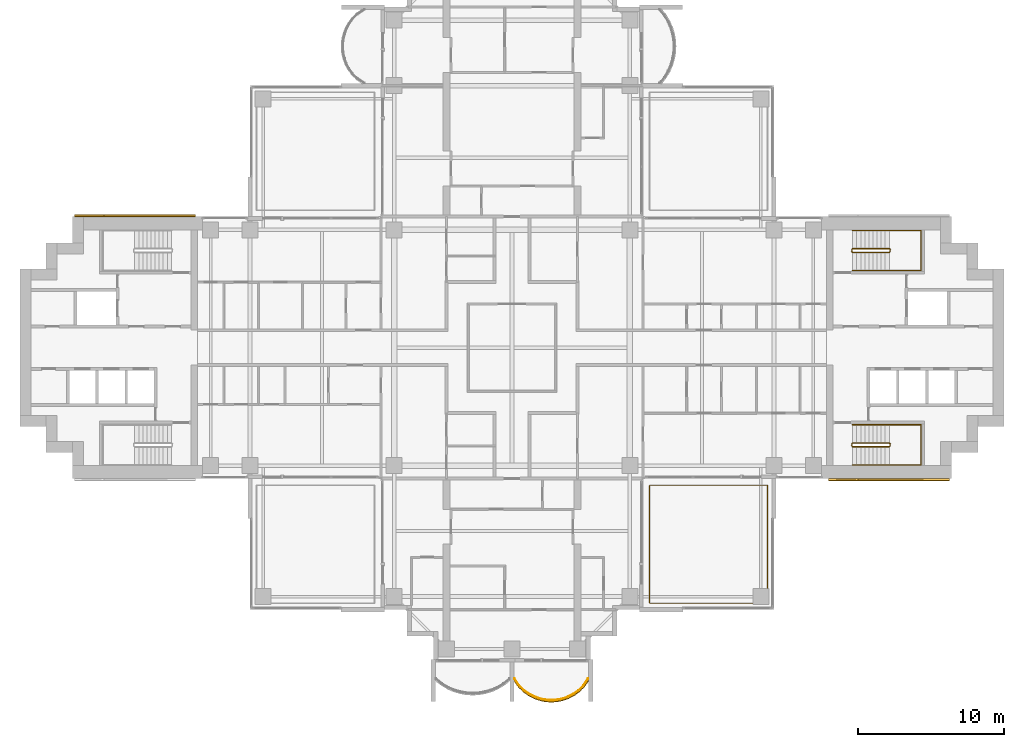
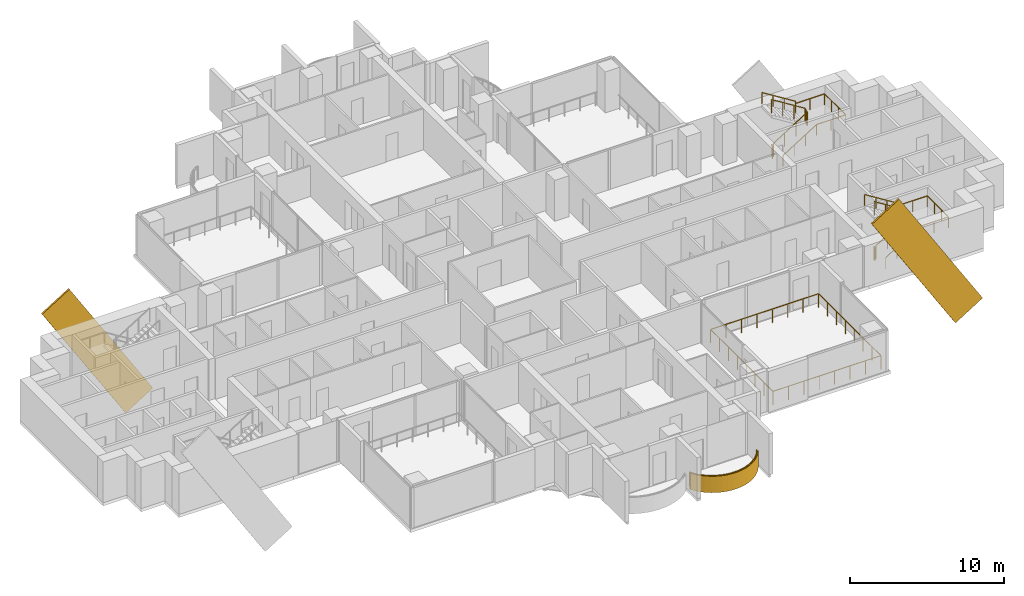
# One storey, part 17 of 19: 6 railings, 3 coverings.
"""IFC4 building model written with IfcOpenShell, lengths in metres."""

from ifc_helpers import new_model, si_unit, direction, frame, origin, origin_2d, place, context, subcontext, project, spatial, polyline, rectangle, outline, extrude, material, layer, layer_set, material_profile, profile_set, type_object, element, save


model = new_model("IFC4")

# Units and contexts
model_context = context("Model", 3, precision=1e-05, world=origin(), true_north=direction((0.0, 1.0)))
body_context = subcontext(model_context, "Body", "Model", "MODEL_VIEW")
ifc_project = project(units=[si_unit("LENGTHUNIT", "METRE"), si_unit("AREAUNIT", "SQUARE_METRE"), si_unit("VOLUMEUNIT", "CUBIC_METRE"), si_unit("PLANEANGLEUNIT", "RADIAN"), si_unit("MASSUNIT", "GRAM", prefix="KILO")], contexts=[model_context])

# Site, building, storey
site_placement = place(None, origin())
site = spatial("IfcSite", under=ifc_project, at=site_placement, CompositionType="ELEMENT")
building_placement = place(site_placement, origin())
building = spatial("IfcBuilding", under=site, at=building_placement, Name="Perihelion Cross Residences", CompositionType="ELEMENT")
storey_placement = place(building_placement, frame((0.0, 0.0, 137.39990234375)))
storey = spatial("IfcBuildingStorey", under=building, at=storey_placement, Name="L33", CompositionType="ELEMENT", Elevation=137.39990234375)

# Covering
ifc_material_1 = material(Name="Bronze anodised aluminium", Category="aluminium")
ifc_layer = layer(ifc_material_1, 0.070068359375)
ifc_layer_set = layer_set([ifc_layer], Name="Balcony fascia 1300")
covering_type_1 = type_object("IfcCoveringType", Name="Balcony fascia 1300", PredefinedType="CLADDING", material=ifc_layer_set)
covering_placement = place(storey_placement, frame((0.0, 0.0, -0.199951171875)))
element("IfcCovering", 1, at=covering_placement, inside=storey, type_object=covering_type_1, Name="Fascia BF1 L33 south tip south bay 2", PredefinedType="CLADDING", context=body_context, shape_type="SweptSolid", body=[
    extrude(outline(polyline([(0.43701171875, -23.322509765625), (0.78515625, -23.66064453125), (1.13330078125, -23.90869140625), (1.4814453125, -24.091064453125), (1.82958984375, -24.22021484375), (2.177734375, -24.30322265625), (2.52587890625, -24.343994140625), (2.8740234375, -24.343994140625), (3.22216796875, -24.30322265625), (3.5703125, -24.22021484375), (3.91845703125, -24.091064453125), (4.2666015625, -23.90869140625), (4.61474609375, -23.66064453125), (4.963134765625, -23.322509765625), (5.25, -22.92041015625), (5.25, -22.800048828125), (4.909912109375, -23.27685546875), (4.570068359375, -23.60693359375), (4.22998046875, -23.84912109375), (3.889892578125, -24.027099609375), (3.550048828125, -24.1533203125), (3.2099609375, -24.234375), (2.8701171875, -24.274169921875), (2.530029296875, -24.274169921875), (2.18994140625, -24.234375), (1.85009765625, -24.1533203125), (1.510009765625, -24.027099609375), (1.169921875, -23.84912109375), (0.830078125, -23.60693359375), (0.489990234375, -23.27685546875), (0.14990234375, -22.800048828125), (0.14990234375, -22.92041015625), (0.43701171875, -23.322509765625)])), origin(), (0.0, 0.0, 1.0), 1.300048828125),
])

# Railings
ifc_material_2 = material(Name="Bronze anodised aluminium", Category="aluminium")
railing_type_1 = type_object("IfcRailingType", Name="Balcony guard 1100", PredefinedType="GUARDRAIL", material=ifc_material_2)
railing_1_placement = place(storey_placement, frame((0.175048828125, -22.739990234375, 0.0)))
element("IfcRailing", 2, at=railing_1_placement, inside=storey, type_object=railing_type_1, Name="Guard GU1 L33 south tip south bay 2 balcony", PredefinedType="GUARDRAIL", context=body_context, shape_type="SweptSolid", body=[
    extrude(rectangle(XDim=0.048095703125, YDim=0.048095703125, at=origin_2d()), frame((0.0, 0.0, 1.076171875), z_axis=(0.551145731138, -0.834409002258, 0.0), x_axis=(0.834409002258, 0.551145731138, 0.0)), (0.0, 0.0, 1.0), 0.571533203125),
    extrude(rectangle(XDim=0.048095703125, YDim=0.048095703125, at=origin_2d()), frame((0.31494140625, -0.476806640625, 1.076171875), z_axis=(0.717588263781, -0.696467575472, 0.0), x_axis=(0.696467575472, 0.717588263781, 0.0)), (0.0, 0.0, 1.0), 0.473876953125),
    extrude(rectangle(XDim=0.048095703125, YDim=0.048095703125, at=origin_2d()), frame((0.655029296875, -0.806884765625, 1.076171875), z_axis=(0.814365457194, -0.580352394782, 0.0), x_axis=(0.580352394782, 0.814365457194, 0.0)), (0.0, 0.0, 1.0), 0.417236328125),
    extrude(rectangle(XDim=0.048095703125, YDim=0.048095703125, at=origin_2d()), frame((0.994873046875, -1.049072265625, 1.076171875), z_axis=(0.885744400902, -0.464173304134, 0.0), x_axis=(0.464173304134, 0.885744400902, 0.0)), (0.0, 0.0, 1.0), 0.384033203125),
    extrude(rectangle(XDim=0.048095703125, YDim=0.048095703125, at=origin_2d()), frame((1.3349609375, -1.227294921875, 1.076171875), z_axis=(0.937732519052, -0.347358205191, 0.0), x_axis=(0.347358205191, 0.937732519052, 0.0)), (0.0, 0.0, 1.0), 0.362548828125),
    extrude(rectangle(XDim=0.048095703125, YDim=0.048095703125, at=origin_2d()), frame((1.675048828125, -1.353271484375, 1.076171875), z_axis=(0.972716168284, -0.231998396458, 0.0), x_axis=(0.231998396458, 0.972716168284, 0.0)), (0.0, 0.0, 1.0), 0.349365234375),
    extrude(rectangle(XDim=0.048095703125, YDim=0.048095703125, at=origin_2d()), frame((2.014892578125, -1.434326171875, 1.076171875), z_axis=(0.993223414934, -0.116220686744, 0.0), x_axis=(0.116220686744, 0.993223414934, 0.0)), (0.0, 0.0, 1.0), 0.342529296875),
    extrude(rectangle(XDim=0.048095703125, YDim=0.048095703125, at=origin_2d()), frame((2.35498046875, -1.47412109375, 1.076171875), z_axis=(1.0, 0.0, 0.0), x_axis=(0.0, 1.0, 0.0)), (0.0, 0.0, 1.0), 0.340087890625),
    extrude(rectangle(XDim=0.048095703125, YDim=0.048095703125, at=origin_2d()), frame((2.695068359375, -1.47412109375, 1.076171875), z_axis=(0.993213773886, 0.116303049672, 0.0), x_axis=(-0.116303049672, 0.993213773886, 0.0)), (0.0, 0.0, 1.0), 0.34228515625),
    extrude(rectangle(XDim=0.048095703125, YDim=0.048095703125, at=origin_2d()), frame((3.034912109375, -1.434326171875, 1.076171875), z_axis=(0.972753741142, 0.231840805498, 0.0), x_axis=(-0.231840805498, 0.972753741142, 0.0)), (0.0, 0.0, 1.0), 0.349609375),
    extrude(rectangle(XDim=0.048095703125, YDim=0.048095703125, at=origin_2d()), frame((3.375, -1.353271484375, 1.076171875), z_axis=(0.937651218339, 0.347577606798, 0.0), x_axis=(-0.347577606798, 0.937651218339, 0.0)), (0.0, 0.0, 1.0), 0.362548828125),
    extrude(rectangle(XDim=0.048095703125, YDim=0.048095703125, at=origin_2d()), frame((3.71484375, -1.227294921875, 1.076171875), z_axis=(0.885744400902, 0.464173304134, 0.0), x_axis=(-0.464173304134, 0.885744400902, 0.0)), (0.0, 0.0, 1.0), 0.384033203125),
    extrude(rectangle(XDim=0.048095703125, YDim=0.048095703125, at=origin_2d()), frame((4.054931640625, -1.049072265625, 1.076171875), z_axis=(0.814562360662, 0.580075995532, 0.0), x_axis=(-0.580075995532, 0.814562360662, 0.0)), (0.0, 0.0, 1.0), 0.41748046875),
    extrude(rectangle(XDim=0.048095703125, YDim=0.048095703125, at=origin_2d()), frame((4.39501953125, -0.806884765625, 1.076171875), z_axis=(0.71733824833, 0.696725080274, 0.0), x_axis=(-0.696725080274, 0.71733824833, 0.0)), (0.0, 0.0, 1.0), 0.473876953125),
    extrude(rectangle(XDim=0.048095703125, YDim=0.048095703125, at=origin_2d()), frame((4.73486328125, -0.476806640625, 1.076171875), z_axis=(0.55144309028, 0.834212513801, 0.0), x_axis=(-0.834212513801, 0.55144309028, 0.0)), (0.0, 0.0, 1.0), 0.571533203125),
    extrude(rectangle(XDim=0.0419921875, YDim=0.0419921875, at=origin_2d()), origin(), (0.0, 0.0, 1.0), 1.052001953125),
    extrude(rectangle(XDim=0.0419921875, YDim=0.0419921875, at=origin_2d()), frame((0.31494140625, -0.476806640625, 0.0)), (0.0, 0.0, 1.0), 1.052001953125),
    extrude(rectangle(XDim=0.0419921875, YDim=0.0419921875, at=origin_2d()), frame((0.655029296875, -0.806884765625, 0.0)), (0.0, 0.0, 1.0), 1.052001953125),
    extrude(rectangle(XDim=0.0419921875, YDim=0.0419921875, at=origin_2d()), frame((0.994873046875, -1.049072265625, 0.0)), (0.0, 0.0, 1.0), 1.052001953125),
    extrude(rectangle(XDim=0.0419921875, YDim=0.0419921875, at=origin_2d()), frame((1.3349609375, -1.227294921875, 0.0)), (0.0, 0.0, 1.0), 1.052001953125),
    extrude(rectangle(XDim=0.0419921875, YDim=0.0419921875, at=origin_2d()), frame((1.675048828125, -1.353271484375, 0.0)), (0.0, 0.0, 1.0), 1.052001953125),
    extrude(rectangle(XDim=0.0419921875, YDim=0.0419921875, at=origin_2d()), frame((2.014892578125, -1.434326171875, 0.0)), (0.0, 0.0, 1.0), 1.052001953125),
    extrude(rectangle(XDim=0.0419921875, YDim=0.0419921875, at=origin_2d()), frame((2.35498046875, -1.47412109375, 0.0)), (0.0, 0.0, 1.0), 1.052001953125),
    extrude(rectangle(XDim=0.0419921875, YDim=0.0419921875, at=origin_2d()), frame((2.695068359375, -1.47412109375, 0.0)), (0.0, 0.0, 1.0), 1.052001953125),
    extrude(rectangle(XDim=0.0419921875, YDim=0.0419921875, at=origin_2d()), frame((3.034912109375, -1.434326171875, 0.0)), (0.0, 0.0, 1.0), 1.052001953125),
    extrude(rectangle(XDim=0.0419921875, YDim=0.0419921875, at=origin_2d()), frame((3.375, -1.353271484375, 0.0)), (0.0, 0.0, 1.0), 1.052001953125),
    extrude(rectangle(XDim=0.0419921875, YDim=0.0419921875, at=origin_2d()), frame((3.71484375, -1.227294921875, 0.0)), (0.0, 0.0, 1.0), 1.052001953125),
    extrude(rectangle(XDim=0.0419921875, YDim=0.0419921875, at=origin_2d()), frame((4.054931640625, -1.049072265625, 0.0)), (0.0, 0.0, 1.0), 1.052001953125),
    extrude(rectangle(XDim=0.0419921875, YDim=0.0419921875, at=origin_2d()), frame((4.39501953125, -0.806884765625, 0.0)), (0.0, 0.0, 1.0), 1.052001953125),
    extrude(rectangle(XDim=0.0419921875, YDim=0.0419921875, at=origin_2d()), frame((4.73486328125, -0.476806640625, 0.0)), (0.0, 0.0, 1.0), 1.052001953125),
    extrude(rectangle(XDim=0.0419921875, YDim=0.0419921875, at=origin_2d()), frame((5.050048828125, 0.0, 0.0)), (0.0, 0.0, 1.0), 1.052001953125),
])
railing_2_placement = place(storey_placement, frame((17.550048828125, -17.550048828125, 0.0)))
element("IfcRailing", 3, at=railing_2_placement, inside=storey, type_object=railing_type_1, Name="Guard GU1 L33 pocket south-east 1", PredefinedType="GUARDRAIL", context=body_context, shape_type="SweptSolid", body=[
    extrude(rectangle(XDim=0.048095703125, YDim=0.048095703125, at=origin_2d()), frame((0.0, 0.0, 1.076171875), z_axis=(-1.0, 0.0, 0.0), x_axis=(0.0, -1.0, 0.0)), (0.0, 0.0, 1.0), 8.10009765625),
    extrude(rectangle(XDim=0.048095703125, YDim=0.048095703125, at=origin_2d()), frame((-8.10009765625, 0.0, 1.076171875), z_axis=(0.0, 1.0, 0.0), x_axis=(-1.0, 0.0, 0.0)), (0.0, 0.0, 1.0), 8.10009765625),
    extrude(rectangle(XDim=0.048095703125, YDim=0.048095703125, at=origin_2d()), frame((-8.10009765625, 8.10009765625, 1.076171875), z_axis=(1.0, 0.0, 0.0), x_axis=(0.0, 1.0, 0.0)), (0.0, 0.0, 1.0), 8.10009765625),
    extrude(rectangle(XDim=0.048095703125, YDim=0.048095703125, at=origin_2d()), frame((0.0, 8.10009765625, 1.076171875), z_axis=(0.0, -1.0, 0.0), x_axis=(1.0, 0.0, 0.0)), (0.0, 0.0, 1.0), 8.10009765625),
    extrude(rectangle(XDim=0.0419921875, YDim=0.0419921875, at=origin_2d()), origin(), (0.0, 0.0, 1.0), 1.052001953125),
    extrude(rectangle(XDim=0.0419921875, YDim=0.0419921875, at=origin_2d()), frame((-1.1572265625, 0.0, 0.0)), (0.0, 0.0, 1.0), 1.052001953125),
    extrude(rectangle(XDim=0.0419921875, YDim=0.0419921875, at=origin_2d()), frame((-2.314208984375, 0.0, 0.0)), (0.0, 0.0, 1.0), 1.052001953125),
    extrude(rectangle(XDim=0.0419921875, YDim=0.0419921875, at=origin_2d()), frame((-3.471435546875, 0.0, 0.0)), (0.0, 0.0, 1.0), 1.052001953125),
    extrude(rectangle(XDim=0.0419921875, YDim=0.0419921875, at=origin_2d()), frame((-4.628662109375, 0.0, 0.0)), (0.0, 0.0, 1.0), 1.052001953125),
    extrude(rectangle(XDim=0.0419921875, YDim=0.0419921875, at=origin_2d()), frame((-5.785888671875, 0.0, 0.0)), (0.0, 0.0, 1.0), 1.052001953125),
    extrude(rectangle(XDim=0.0419921875, YDim=0.0419921875, at=origin_2d()), frame((-6.94287109375, 0.0, 0.0)), (0.0, 0.0, 1.0), 1.052001953125),
    extrude(rectangle(XDim=0.0419921875, YDim=0.0419921875, at=origin_2d()), frame((-8.10009765625, 0.0, 0.0)), (0.0, 0.0, 1.0), 1.052001953125),
    extrude(rectangle(XDim=0.0419921875, YDim=0.0419921875, at=origin_2d()), frame((-8.10009765625, 1.1572265625, 0.0)), (0.0, 0.0, 1.0), 1.052001953125),
    extrude(rectangle(XDim=0.0419921875, YDim=0.0419921875, at=origin_2d()), frame((-8.10009765625, 2.314208984375, 0.0)), (0.0, 0.0, 1.0), 1.052001953125),
    extrude(rectangle(XDim=0.0419921875, YDim=0.0419921875, at=origin_2d()), frame((-8.10009765625, 3.471435546875, 0.0)), (0.0, 0.0, 1.0), 1.052001953125),
    extrude(rectangle(XDim=0.0419921875, YDim=0.0419921875, at=origin_2d()), frame((-8.10009765625, 4.628662109375, 0.0)), (0.0, 0.0, 1.0), 1.052001953125),
    extrude(rectangle(XDim=0.0419921875, YDim=0.0419921875, at=origin_2d()), frame((-8.10009765625, 5.785888671875, 0.0)), (0.0, 0.0, 1.0), 1.052001953125),
    extrude(rectangle(XDim=0.0419921875, YDim=0.0419921875, at=origin_2d()), frame((-8.10009765625, 6.94287109375, 0.0)), (0.0, 0.0, 1.0), 1.052001953125),
    extrude(rectangle(XDim=0.0419921875, YDim=0.0419921875, at=origin_2d()), frame((-8.10009765625, 8.10009765625, 0.0)), (0.0, 0.0, 1.0), 1.052001953125),
    extrude(rectangle(XDim=0.0419921875, YDim=0.0419921875, at=origin_2d()), frame((-6.94287109375, 8.10009765625, 0.0)), (0.0, 0.0, 1.0), 1.052001953125),
    extrude(rectangle(XDim=0.0419921875, YDim=0.0419921875, at=origin_2d()), frame((-5.785888671875, 8.10009765625, 0.0)), (0.0, 0.0, 1.0), 1.052001953125),
    extrude(rectangle(XDim=0.0419921875, YDim=0.0419921875, at=origin_2d()), frame((-4.628662109375, 8.10009765625, 0.0)), (0.0, 0.0, 1.0), 1.052001953125),
    extrude(rectangle(XDim=0.0419921875, YDim=0.0419921875, at=origin_2d()), frame((-3.471435546875, 8.10009765625, 0.0)), (0.0, 0.0, 1.0), 1.052001953125),
    extrude(rectangle(XDim=0.0419921875, YDim=0.0419921875, at=origin_2d()), frame((-2.314208984375, 8.10009765625, 0.0)), (0.0, 0.0, 1.0), 1.052001953125),
    extrude(rectangle(XDim=0.0419921875, YDim=0.0419921875, at=origin_2d()), frame((-1.1572265625, 8.10009765625, 0.0)), (0.0, 0.0, 1.0), 1.052001953125),
    extrude(rectangle(XDim=0.0419921875, YDim=0.0419921875, at=origin_2d()), frame((0.0, 8.10009765625, 0.0)), (0.0, 0.0, 1.0), 1.052001953125),
    extrude(rectangle(XDim=0.0419921875, YDim=0.0419921875, at=origin_2d()), frame((0.0, 6.94287109375, 0.0)), (0.0, 0.0, 1.0), 1.052001953125),
    extrude(rectangle(XDim=0.0419921875, YDim=0.0419921875, at=origin_2d()), frame((0.0, 5.785888671875, 0.0)), (0.0, 0.0, 1.0), 1.052001953125),
    extrude(rectangle(XDim=0.0419921875, YDim=0.0419921875, at=origin_2d()), frame((0.0, 4.628662109375, 0.0)), (0.0, 0.0, 1.0), 1.052001953125),
    extrude(rectangle(XDim=0.0419921875, YDim=0.0419921875, at=origin_2d()), frame((0.0, 3.471435546875, 0.0)), (0.0, 0.0, 1.0), 1.052001953125),
    extrude(rectangle(XDim=0.0419921875, YDim=0.0419921875, at=origin_2d()), frame((0.0, 2.314208984375, 0.0)), (0.0, 0.0, 1.0), 1.052001953125),
    extrude(rectangle(XDim=0.0419921875, YDim=0.0419921875, at=origin_2d()), frame((0.0, 1.1572265625, 0.0)), (0.0, 0.0, 1.0), 1.052001953125),
])

# Coverings
ifc_material_3 = material(Name="Bronze anodised aluminium", Category="aluminium")
ifc_material_profile = material_profile(ifc_material_3, rectangle(XDim=0.125, YDim=2.39990234375, at=origin_2d()), Name="Bronze cladding band 2400")
ifc_profile_set = profile_set([ifc_material_profile], Name="Bronze anodised aluminium")
covering_type_2 = type_object("IfcCoveringType", Name="Bronze cladding band 2400", PredefinedType="CLADDING", material=ifc_profile_set)
for number, where, z_axis, x_axis, name in (
    (4, (29.0322265625, -9.0625, -4.472412109375), (-0.529915403603, 0.0, 0.848050508534), (0.0, -1.0, 0.0), "Core cladding band, east core"),
    (5, (-22.767578125, 9.0625, -4.472412109375), (-0.529915403603, 0.0, 0.848050508534), (0.0, -1.0, 0.0), "Core cladding band, west core"),
):
    element("IfcCovering", number, at=place(storey_placement, frame(where, z_axis=z_axis, x_axis=x_axis)), inside=storey, type_object=covering_type_2, Name=name, PredefinedType="CLADDING", context=body_context, shape_type="SweptSolid", body=[
        extrude(rectangle(XDim=0.125, YDim=2.39990234375, at=origin_2d()), origin(), (0.0, 0.0, 1.0), 11.822021484375),
    ])

# Railings
ifc_material_4 = material(Name="Stainless steel", Category="steel")
railing_type_2 = type_object("IfcRailingType", Name="Stair guard 1100", PredefinedType="GUARDRAIL", material=ifc_material_4)
railing_3_placement = place(storey_placement, frame((23.35009765625, 6.75, 0.0)))
element("IfcRailing", 6, at=railing_3_placement, inside=storey, type_object=railing_type_2, Name="L33 ST-E1 stair guard 1", PredefinedType="GUARDRAIL", context=body_context, shape_type="SweptSolid", body=[
    extrude(rectangle(XDim=0.048095703125, YDim=0.048095703125, at=origin_2d()), frame((0.0, 0.0, 1.076171875), z_axis=(0.0, -1.0, 0.0), x_axis=(1.0, 0.0, 0.0)), (0.0, 0.0, 1.0), 0.14990234375),
    extrude(rectangle(XDim=0.048095703125, YDim=0.048095703125, at=origin_2d()), frame((0.0, -0.14990234375, 1.076171875), z_axis=(0.263862480399, -0.265155923931, 0.927399011991), x_axis=(0.708833529934, 0.705375805398, 0.0)), (0.0, 0.0, 1.0), 0.188720703125),
    extrude(rectangle(XDim=0.048095703125, YDim=0.048095703125, at=origin_2d()), frame((0.0498046875, -0.199951171875, 1.2509765625), z_axis=(0.848007534815, 0.0, 0.529984170421), x_axis=(0.0, 1.0, 0.0)), (0.0, 0.0, 1.0), 2.9716796875),
    extrude(rectangle(XDim=0.048095703125, YDim=0.048095703125, at=origin_2d()), frame((2.56982421875, -0.199951171875, 2.826171875), z_axis=(0.707106781187, 0.707106781187, 0.0), x_axis=(-0.707106781187, 0.707106781187, 0.0)), (0.0, 0.0, 1.0), 0.07080078125),
    extrude(rectangle(XDim=0.048095703125, YDim=0.048095703125, at=origin_2d()), frame((2.619873046875, -0.14990234375, 2.826171875), z_axis=(0.0, 1.0, 0.0), x_axis=(-1.0, 0.0, 0.0)), (0.0, 0.0, 1.0), 0.14990234375),
    extrude(rectangle(XDim=0.048095703125, YDim=0.048095703125, at=origin_2d()), frame((2.619873046875, 0.0, 2.826171875), z_axis=(-0.265065253269, 0.265065253269, 0.927081885822), x_axis=(-0.707106781187, -0.707106781187, 0.0)), (0.0, 0.0, 1.0), 0.188720703125),
    extrude(rectangle(XDim=0.048095703125, YDim=0.048095703125, at=origin_2d()), frame((2.56982421875, 0.050048828125, 3.0009765625), z_axis=(-0.848007534815, 0.0, 0.529984170421), x_axis=(0.0, -1.0, 0.0)), (0.0, 0.0, 1.0), 2.9716796875),
    extrude(rectangle(XDim=0.0419921875, YDim=0.0419921875, at=origin_2d()), origin(), (0.0, 0.0, 1.0), 1.052001953125),
    extrude(rectangle(XDim=0.0419921875, YDim=0.0419921875, at=origin_2d()), frame((0.0, -0.14990234375, 0.0)), (0.0, 0.0, 1.0), 1.052001953125),
    extrude(rectangle(XDim=0.0419921875, YDim=0.0419921875, at=origin_2d()), frame((0.0498046875, -0.199951171875, 0.175048828125)), (0.0, 0.0, 1.0), 1.052001953125),
    extrude(rectangle(XDim=0.0419921875, YDim=0.0419921875, at=origin_2d()), frame((0.889892578125, -0.199951171875, 0.699951171875)), (0.0, 0.0, 1.0), 1.052001953125),
    extrude(rectangle(XDim=0.0419921875, YDim=0.0419921875, at=origin_2d()), frame((1.729736328125, -0.199951171875, 1.22509765625)), (0.0, 0.0, 1.0), 1.052001953125),
    extrude(rectangle(XDim=0.0419921875, YDim=0.0419921875, at=origin_2d()), frame((2.56982421875, -0.199951171875, 1.75)), (0.0, 0.0, 1.0), 1.052001953125),
    extrude(rectangle(XDim=0.0419921875, YDim=0.0419921875, at=origin_2d()), frame((2.619873046875, -0.14990234375, 1.75)), (0.0, 0.0, 1.0), 1.052001953125),
    extrude(rectangle(XDim=0.0419921875, YDim=0.0419921875, at=origin_2d()), frame((2.619873046875, 0.0, 1.75)), (0.0, 0.0, 1.0), 1.052001953125),
    extrude(rectangle(XDim=0.0419921875, YDim=0.0419921875, at=origin_2d()), frame((2.56982421875, 0.050048828125, 1.925048828125)), (0.0, 0.0, 1.0), 1.052001953125),
    extrude(rectangle(XDim=0.0419921875, YDim=0.0419921875, at=origin_2d()), frame((1.729736328125, 0.050048828125, 2.449951171875)), (0.0, 0.0, 1.0), 1.052001953125),
    extrude(rectangle(XDim=0.0419921875, YDim=0.0419921875, at=origin_2d()), frame((0.889892578125, 0.050048828125, 2.97509765625)), (0.0, 0.0, 1.0), 1.052001953125),
    extrude(rectangle(XDim=0.0419921875, YDim=0.0419921875, at=origin_2d()), frame((0.0498046875, 0.050048828125, 3.5)), (0.0, 0.0, 1.0), 1.052001953125),
])
railing_4_placement = place(storey_placement, frame((23.35009765625, -6.60009765625, 0.0)))
element("IfcRailing", 7, at=railing_4_placement, inside=storey, type_object=railing_type_2, Name="L33 ST-E2 stair guard 1", PredefinedType="GUARDRAIL", context=body_context, shape_type="SweptSolid", body=[
    extrude(rectangle(XDim=0.048095703125, YDim=0.048095703125, at=origin_2d()), frame((0.0, 0.0, 1.076171875), z_axis=(0.0, -1.0, 0.0), x_axis=(1.0, 0.0, 0.0)), (0.0, 0.0, 1.0), 0.14990234375),
    extrude(rectangle(XDim=0.048095703125, YDim=0.048095703125, at=origin_2d()), frame((0.0, -0.14990234375, 1.076171875), z_axis=(0.263862480399, -0.265155923931, 0.927399011991), x_axis=(0.708833529934, 0.705375805398, 0.0)), (0.0, 0.0, 1.0), 0.188720703125),
    extrude(rectangle(XDim=0.048095703125, YDim=0.048095703125, at=origin_2d()), frame((0.0498046875, -0.199951171875, 1.2509765625), z_axis=(0.848007534815, 0.0, 0.529984170421), x_axis=(0.0, 1.0, 0.0)), (0.0, 0.0, 1.0), 2.9716796875),
    extrude(rectangle(XDim=0.048095703125, YDim=0.048095703125, at=origin_2d()), frame((2.56982421875, -0.199951171875, 2.826171875), z_axis=(0.707106781187, 0.707106781187, 0.0), x_axis=(-0.707106781187, 0.707106781187, 0.0)), (0.0, 0.0, 1.0), 0.07080078125),
    extrude(rectangle(XDim=0.048095703125, YDim=0.048095703125, at=origin_2d()), frame((2.619873046875, -0.14990234375, 2.826171875), z_axis=(0.0, 1.0, 0.0), x_axis=(-1.0, 0.0, 0.0)), (0.0, 0.0, 1.0), 0.14990234375),
    extrude(rectangle(XDim=0.048095703125, YDim=0.048095703125, at=origin_2d()), frame((2.619873046875, 0.0, 2.826171875), z_axis=(-0.265065253269, 0.265065253269, 0.927081885822), x_axis=(-0.707106781187, -0.707106781187, 0.0)), (0.0, 0.0, 1.0), 0.188720703125),
    extrude(rectangle(XDim=0.048095703125, YDim=0.048095703125, at=origin_2d()), frame((2.56982421875, 0.050048828125, 3.0009765625), z_axis=(-0.848007534815, 0.0, 0.529984170421), x_axis=(0.0, -1.0, 0.0)), (0.0, 0.0, 1.0), 2.9716796875),
    extrude(rectangle(XDim=0.0419921875, YDim=0.0419921875, at=origin_2d()), origin(), (0.0, 0.0, 1.0), 1.052001953125),
    extrude(rectangle(XDim=0.0419921875, YDim=0.0419921875, at=origin_2d()), frame((0.0, -0.14990234375, 0.0)), (0.0, 0.0, 1.0), 1.052001953125),
    extrude(rectangle(XDim=0.0419921875, YDim=0.0419921875, at=origin_2d()), frame((0.0498046875, -0.199951171875, 0.175048828125)), (0.0, 0.0, 1.0), 1.052001953125),
    extrude(rectangle(XDim=0.0419921875, YDim=0.0419921875, at=origin_2d()), frame((0.889892578125, -0.199951171875, 0.699951171875)), (0.0, 0.0, 1.0), 1.052001953125),
    extrude(rectangle(XDim=0.0419921875, YDim=0.0419921875, at=origin_2d()), frame((1.729736328125, -0.199951171875, 1.22509765625)), (0.0, 0.0, 1.0), 1.052001953125),
    extrude(rectangle(XDim=0.0419921875, YDim=0.0419921875, at=origin_2d()), frame((2.56982421875, -0.199951171875, 1.75)), (0.0, 0.0, 1.0), 1.052001953125),
    extrude(rectangle(XDim=0.0419921875, YDim=0.0419921875, at=origin_2d()), frame((2.619873046875, -0.14990234375, 1.75)), (0.0, 0.0, 1.0), 1.052001953125),
    extrude(rectangle(XDim=0.0419921875, YDim=0.0419921875, at=origin_2d()), frame((2.619873046875, 0.0, 1.75)), (0.0, 0.0, 1.0), 1.052001953125),
    extrude(rectangle(XDim=0.0419921875, YDim=0.0419921875, at=origin_2d()), frame((2.56982421875, 0.050048828125, 1.925048828125)), (0.0, 0.0, 1.0), 1.052001953125),
    extrude(rectangle(XDim=0.0419921875, YDim=0.0419921875, at=origin_2d()), frame((1.729736328125, 0.050048828125, 2.449951171875)), (0.0, 0.0, 1.0), 1.052001953125),
    extrude(rectangle(XDim=0.0419921875, YDim=0.0419921875, at=origin_2d()), frame((0.889892578125, 0.050048828125, 2.97509765625)), (0.0, 0.0, 1.0), 1.052001953125),
    extrude(rectangle(XDim=0.0419921875, YDim=0.0419921875, at=origin_2d()), frame((0.0498046875, 0.050048828125, 3.5)), (0.0, 0.0, 1.0), 1.052001953125),
])
ifc_material_5 = material(Name="Stainless steel", Category="steel")
railing_type_3 = type_object("IfcRailingType", Name="Stair handrail 900", PredefinedType="HANDRAIL", material=ifc_material_5)
railing_5_placement = place(storey_placement, frame((23.39990234375, 5.300048828125, 0.175048828125)))
element("IfcRailing", 8, at=railing_5_placement, inside=storey, type_object=railing_type_3, Name="L33 ST-E1 stair handrail 1", PredefinedType="HANDRAIL", context=body_context, shape_type="SweptSolid", body=[
    extrude(rectangle(XDim=0.048095703125, YDim=0.048095703125, at=origin_2d()), frame((0.0, 0.0, 0.8759765625), z_axis=(0.848007534815, 0.0, 0.529984170421), x_axis=(0.0, 1.0, 0.0)), (0.0, 0.0, 1.0), 2.9716796875),
    extrude(rectangle(XDim=0.048095703125, YDim=0.048095703125, at=origin_2d()), frame((2.52001953125, 0.0, 2.45068359375), z_axis=(1.0, 0.0, 0.0), x_axis=(0.0, 1.0, 0.0)), (0.0, 0.0, 1.0), 2.18017578125),
    extrude(rectangle(XDim=0.048095703125, YDim=0.048095703125, at=origin_2d()), frame((4.7001953125, 0.0, 2.45068359375), z_axis=(0.0, 1.0, 0.0), x_axis=(-1.0, 0.0, 0.0)), (0.0, 0.0, 1.0), 2.75),
    extrude(rectangle(XDim=0.048095703125, YDim=0.048095703125, at=origin_2d()), frame((4.7001953125, 2.75, 2.45068359375), z_axis=(-1.0, 0.0, 0.0), x_axis=(0.0, -1.0, 0.0)), (0.0, 0.0, 1.0), 2.18017578125),
    extrude(rectangle(XDim=0.048095703125, YDim=0.048095703125, at=origin_2d()), frame((2.52001953125, 2.75, 2.45068359375), z_axis=(0.0, 0.0, 1.0), x_axis=(1.0, 0.0, 0.0)), (0.0, 0.0, 1.0), 0.175048828125),
    extrude(rectangle(XDim=0.048095703125, YDim=0.048095703125, at=origin_2d()), frame((2.52001953125, 2.75, 2.6259765625), z_axis=(-0.848007534815, 0.0, 0.529984170421), x_axis=(0.0, -1.0, 0.0)), (0.0, 0.0, 1.0), 2.9716796875),
    extrude(rectangle(XDim=0.0419921875, YDim=0.0419921875, at=origin_2d()), origin(), (0.0, 0.0, 1.0), 0.851806640625),
    extrude(rectangle(XDim=0.0419921875, YDim=0.0419921875, at=origin_2d()), frame((0.840087890625, 0.0, 0.52490234375)), (0.0, 0.0, 1.0), 0.851806640625),
    extrude(rectangle(XDim=0.0419921875, YDim=0.0419921875, at=origin_2d()), frame((1.679931640625, 0.0, 1.050048828125)), (0.0, 0.0, 1.0), 0.851806640625),
    extrude(rectangle(XDim=0.0419921875, YDim=0.0419921875, at=origin_2d()), frame((2.52001953125, 0.0, 1.574951171875)), (0.0, 0.0, 1.0), 0.851806640625),
    extrude(rectangle(XDim=0.0419921875, YDim=0.0419921875, at=origin_2d()), frame((3.610107421875, 0.0, 1.574951171875)), (0.0, 0.0, 1.0), 0.851806640625),
    extrude(rectangle(XDim=0.0419921875, YDim=0.0419921875, at=origin_2d()), frame((4.7001953125, 0.0, 1.574951171875)), (0.0, 0.0, 1.0), 0.851806640625),
    extrude(rectangle(XDim=0.0419921875, YDim=0.0419921875, at=origin_2d()), frame((4.7001953125, 0.916748046875, 1.574951171875)), (0.0, 0.0, 1.0), 0.851806640625),
    extrude(rectangle(XDim=0.0419921875, YDim=0.0419921875, at=origin_2d()), frame((4.7001953125, 1.833251953125, 1.574951171875)), (0.0, 0.0, 1.0), 0.851806640625),
    extrude(rectangle(XDim=0.0419921875, YDim=0.0419921875, at=origin_2d()), frame((4.7001953125, 2.75, 1.574951171875)), (0.0, 0.0, 1.0), 0.851806640625),
    extrude(rectangle(XDim=0.0419921875, YDim=0.0419921875, at=origin_2d()), frame((3.610107421875, 2.75, 1.574951171875)), (0.0, 0.0, 1.0), 0.851806640625),
    extrude(rectangle(XDim=0.0419921875, YDim=0.0419921875, at=origin_2d()), frame((2.52001953125, 2.75, 1.574951171875)), (0.0, 0.0, 1.0), 0.851806640625),
    extrude(rectangle(XDim=0.0419921875, YDim=0.0419921875, at=origin_2d()), frame((2.52001953125, 2.75, 1.75)), (0.0, 0.0, 1.0), 0.851806640625),
    extrude(rectangle(XDim=0.0419921875, YDim=0.0419921875, at=origin_2d()), frame((1.679931640625, 2.75, 2.27490234375)), (0.0, 0.0, 1.0), 0.851806640625),
    extrude(rectangle(XDim=0.0419921875, YDim=0.0419921875, at=origin_2d()), frame((0.840087890625, 2.75, 2.800048828125)), (0.0, 0.0, 1.0), 0.851806640625),
    extrude(rectangle(XDim=0.0419921875, YDim=0.0419921875, at=origin_2d()), frame((0.0, 2.75, 3.324951171875)), (0.0, 0.0, 1.0), 0.851806640625),
])
railing_6_placement = place(storey_placement, frame((23.39990234375, -8.050048828125, 0.175048828125)))
element("IfcRailing", 9, at=railing_6_placement, inside=storey, type_object=railing_type_3, Name="L33 ST-E2 stair handrail 1", PredefinedType="HANDRAIL", context=body_context, shape_type="SweptSolid", body=[
    extrude(rectangle(XDim=0.048095703125, YDim=0.048095703125, at=origin_2d()), frame((0.0, 0.0, 0.8759765625), z_axis=(0.848007534815, 0.0, 0.529984170421), x_axis=(0.0, 1.0, 0.0)), (0.0, 0.0, 1.0), 2.9716796875),
    extrude(rectangle(XDim=0.048095703125, YDim=0.048095703125, at=origin_2d()), frame((2.52001953125, 0.0, 2.45068359375), z_axis=(1.0, 0.0, 0.0), x_axis=(0.0, 1.0, 0.0)), (0.0, 0.0, 1.0), 2.18017578125),
    extrude(rectangle(XDim=0.048095703125, YDim=0.048095703125, at=origin_2d()), frame((4.7001953125, 0.0, 2.45068359375), z_axis=(0.0, 1.0, 0.0), x_axis=(-1.0, 0.0, 0.0)), (0.0, 0.0, 1.0), 2.75),
    extrude(rectangle(XDim=0.048095703125, YDim=0.048095703125, at=origin_2d()), frame((4.7001953125, 2.75, 2.45068359375), z_axis=(-1.0, 0.0, 0.0), x_axis=(0.0, -1.0, 0.0)), (0.0, 0.0, 1.0), 2.18017578125),
    extrude(rectangle(XDim=0.048095703125, YDim=0.048095703125, at=origin_2d()), frame((2.52001953125, 2.75, 2.45068359375), z_axis=(0.0, 0.0, 1.0), x_axis=(1.0, 0.0, 0.0)), (0.0, 0.0, 1.0), 0.175048828125),
    extrude(rectangle(XDim=0.048095703125, YDim=0.048095703125, at=origin_2d()), frame((2.52001953125, 2.75, 2.6259765625), z_axis=(-0.848007534815, 0.0, 0.529984170421), x_axis=(0.0, -1.0, 0.0)), (0.0, 0.0, 1.0), 2.9716796875),
    extrude(rectangle(XDim=0.0419921875, YDim=0.0419921875, at=origin_2d()), origin(), (0.0, 0.0, 1.0), 0.851806640625),
    extrude(rectangle(XDim=0.0419921875, YDim=0.0419921875, at=origin_2d()), frame((0.840087890625, 0.0, 0.52490234375)), (0.0, 0.0, 1.0), 0.851806640625),
    extrude(rectangle(XDim=0.0419921875, YDim=0.0419921875, at=origin_2d()), frame((1.679931640625, 0.0, 1.050048828125)), (0.0, 0.0, 1.0), 0.851806640625),
    extrude(rectangle(XDim=0.0419921875, YDim=0.0419921875, at=origin_2d()), frame((2.52001953125, 0.0, 1.574951171875)), (0.0, 0.0, 1.0), 0.851806640625),
    extrude(rectangle(XDim=0.0419921875, YDim=0.0419921875, at=origin_2d()), frame((3.610107421875, 0.0, 1.574951171875)), (0.0, 0.0, 1.0), 0.851806640625),
    extrude(rectangle(XDim=0.0419921875, YDim=0.0419921875, at=origin_2d()), frame((4.7001953125, 0.0, 1.574951171875)), (0.0, 0.0, 1.0), 0.851806640625),
    extrude(rectangle(XDim=0.0419921875, YDim=0.0419921875, at=origin_2d()), frame((4.7001953125, 0.916748046875, 1.574951171875)), (0.0, 0.0, 1.0), 0.851806640625),
    extrude(rectangle(XDim=0.0419921875, YDim=0.0419921875, at=origin_2d()), frame((4.7001953125, 1.833251953125, 1.574951171875)), (0.0, 0.0, 1.0), 0.851806640625),
    extrude(rectangle(XDim=0.0419921875, YDim=0.0419921875, at=origin_2d()), frame((4.7001953125, 2.75, 1.574951171875)), (0.0, 0.0, 1.0), 0.851806640625),
    extrude(rectangle(XDim=0.0419921875, YDim=0.0419921875, at=origin_2d()), frame((3.610107421875, 2.75, 1.574951171875)), (0.0, 0.0, 1.0), 0.851806640625),
    extrude(rectangle(XDim=0.0419921875, YDim=0.0419921875, at=origin_2d()), frame((2.52001953125, 2.75, 1.574951171875)), (0.0, 0.0, 1.0), 0.851806640625),
    extrude(rectangle(XDim=0.0419921875, YDim=0.0419921875, at=origin_2d()), frame((2.52001953125, 2.75, 1.75)), (0.0, 0.0, 1.0), 0.851806640625),
    extrude(rectangle(XDim=0.0419921875, YDim=0.0419921875, at=origin_2d()), frame((1.679931640625, 2.75, 2.27490234375)), (0.0, 0.0, 1.0), 0.851806640625),
    extrude(rectangle(XDim=0.0419921875, YDim=0.0419921875, at=origin_2d()), frame((0.840087890625, 2.75, 2.800048828125)), (0.0, 0.0, 1.0), 0.851806640625),
    extrude(rectangle(XDim=0.0419921875, YDim=0.0419921875, at=origin_2d()), frame((0.0, 2.75, 3.324951171875)), (0.0, 0.0, 1.0), 0.851806640625),
])

save(model, "model.ifc")
